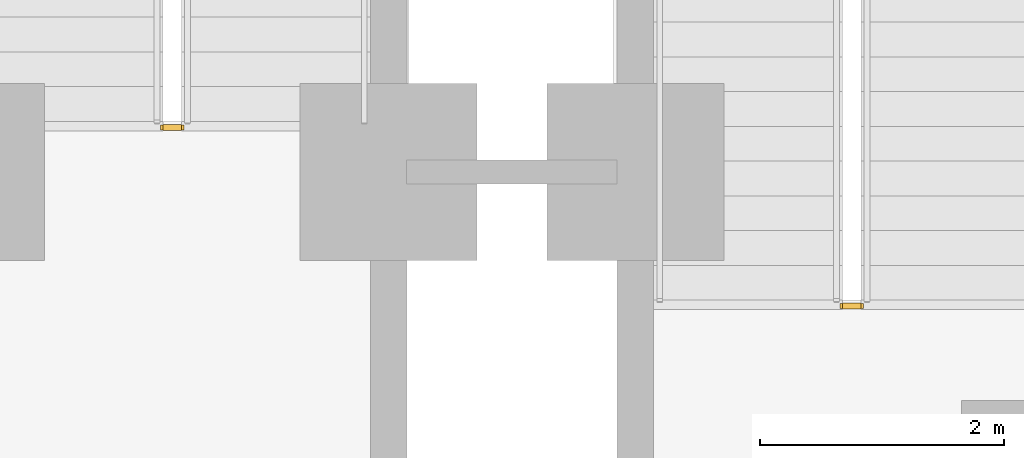
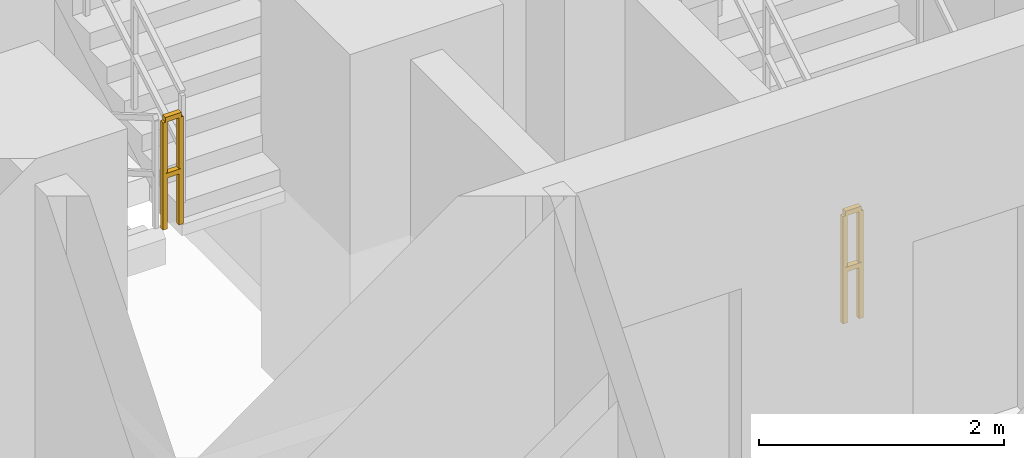
# One storey, part 10 of 12: 2 railings.
"""IFC4 building model written with IfcOpenShell, lengths in metres."""

from ifc_helpers import new_model, si_unit, direction, frame, origin, origin_2d, place, context, subcontext, project, spatial, rectangle, extrude, material, type_object, element, save


model = new_model("IFC4")

# Units and contexts
model_context = context("Model", 3, precision=1e-05, world=origin(), true_north=direction((0.0, 1.0)))
body_context = subcontext(model_context, "Body", "Model", "MODEL_VIEW")
ifc_project = project(units=[si_unit("LENGTHUNIT", "METRE"), si_unit("AREAUNIT", "SQUARE_METRE"), si_unit("VOLUMEUNIT", "CUBIC_METRE"), si_unit("PLANEANGLEUNIT", "RADIAN"), si_unit("MASSUNIT", "GRAM", prefix="KILO")], contexts=[model_context])

# Site, building, storey
site_placement = place(None, origin())
site = spatial("IfcSite", under=ifc_project, at=site_placement, CompositionType="ELEMENT")
building_placement = place(site_placement, origin())
building = spatial("IfcBuilding", under=site, at=building_placement, Name="Apsidion Concourse Tower", CompositionType="ELEMENT")
storey_placement = place(building_placement, frame((0.0, 0.0, 71.0)))
storey = spatial("IfcBuildingStorey", under=building, at=storey_placement, Name="L15", CompositionType="ELEMENT", Elevation=71.0)

# Railings
ifc_material = material(Name="Brushed stainless steel 316", Category="steel")
railing_type = type_object("IfcRailingType", Name="RL-GUARD-1100", PredefinedType="GUARDRAIL", material=ifc_material)
railing_1_placement = place(storey_placement, frame((5.64990234375, 2.949951171875, 0.0)))
element("IfcRailing", 1, at=railing_1_placement, inside=storey, type_object=railing_type, Name="L15 ST2 stair guard 4", PredefinedType="GUARDRAIL", context=body_context, shape_type="SweptSolid", body=[
    extrude(rectangle(XDim=0.048095703125, YDim=0.048095703125, at=origin_2d()), frame((0.0, 0.0, 1.09619140625), z_axis=(-1.0, 0.0, 0.0), x_axis=(0.0, -1.0, 0.0)), (0.0, 0.0, 1.0), 0.14990234375),
    extrude(rectangle(XDim=0.048095703125, YDim=0.048095703125, at=origin_2d()), frame((0.0, 0.0, 0.5361328125), z_axis=(-1.0, 0.0, 0.0), x_axis=(0.0, -1.0, 0.0)), (0.0, 0.0, 1.0), 0.14990234375),
    extrude(rectangle(XDim=0.0419921875, YDim=0.0419921875, at=origin_2d()), origin(), (0.0, 0.0, 1.0), 1.072021484375),
    extrude(rectangle(XDim=0.0419921875, YDim=0.0419921875, at=origin_2d()), frame((-0.14990234375, 0.0, 0.0)), (0.0, 0.0, 1.0), 1.072021484375),
])
railing_2_placement = place(storey_placement, frame((-0.074951171875, 4.4150390625, 2.0)))
element("IfcRailing", 2, at=railing_2_placement, inside=storey, type_object=railing_type, Name="L15 ST3 stair guard 2", PredefinedType="GUARDRAIL", context=body_context, shape_type="SweptSolid", body=[
    extrude(rectangle(XDim=0.048095703125, YDim=0.048095703125, at=origin_2d()), frame((0.0, 0.0, 1.09619140625), z_axis=(1.0, 0.0, 0.0), x_axis=(0.0, 1.0, 0.0)), (0.0, 0.0, 1.0), 0.14990234375),
    extrude(rectangle(XDim=0.048095703125, YDim=0.048095703125, at=origin_2d()), frame((0.0, 0.0, 0.5361328125), z_axis=(1.0, 0.0, 0.0), x_axis=(0.0, 1.0, 0.0)), (0.0, 0.0, 1.0), 0.14990234375),
    extrude(rectangle(XDim=0.0419921875, YDim=0.0419921875, at=origin_2d()), origin(), (0.0, 0.0, 1.0), 1.072021484375),
    extrude(rectangle(XDim=0.0419921875, YDim=0.0419921875, at=origin_2d()), frame((0.14990234375, 0.0, 0.0)), (0.0, 0.0, 1.0), 1.072021484375),
])

save(model, "model.ifc")
